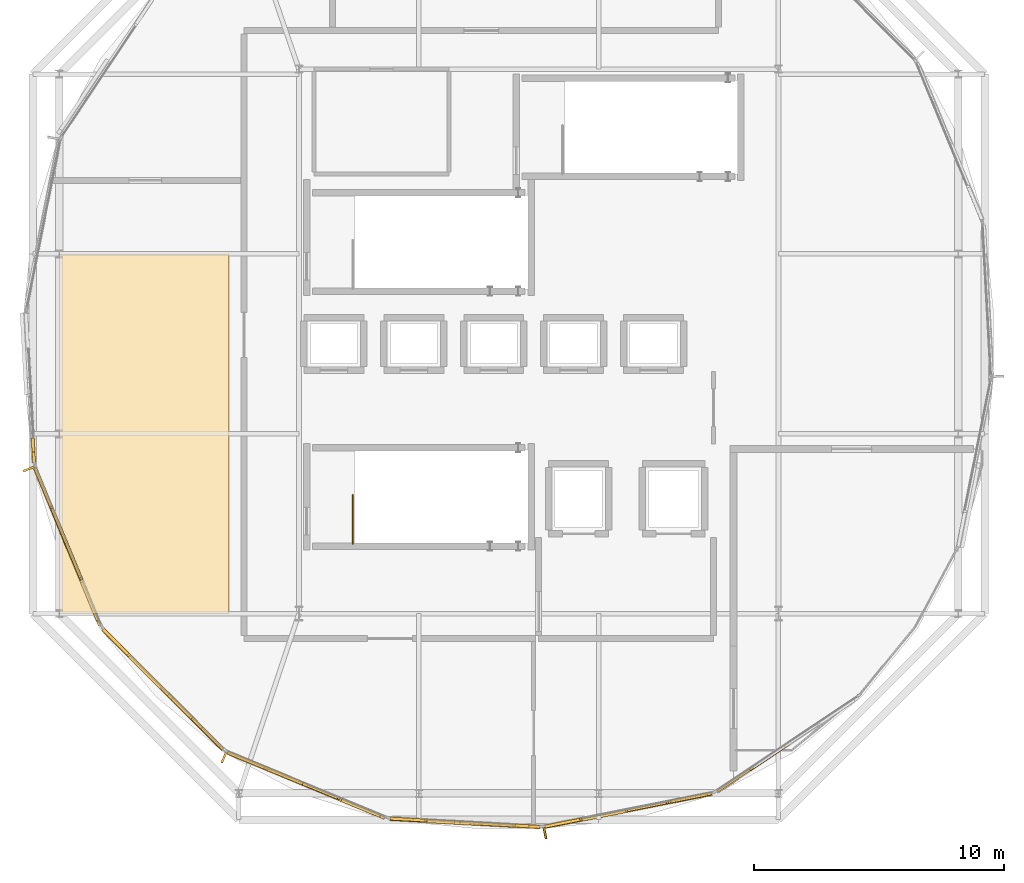
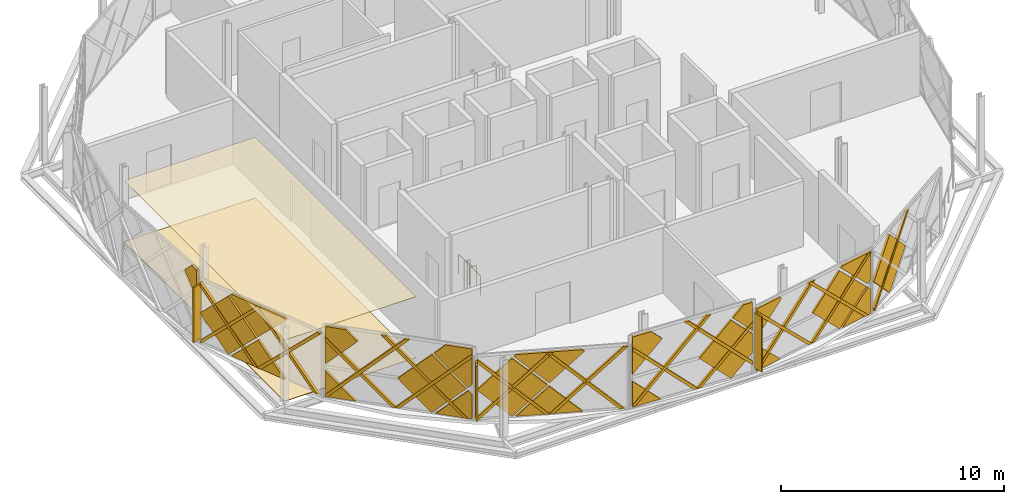
# One storey, part 12 of 15: 45 coverings, 3 shading devices, 1 railing.
"""IFC4 building model written with IfcOpenShell, lengths in metres."""

from ifc_helpers import new_model, si_unit, direction, frame, origin, origin_2d, place, context, subcontext, project, spatial, polyline, rectangle, circle, outline, extrude, material, layer, layer_set, type_object, element, save


model = new_model("IFC4")

# Units and contexts
model_context = context("Model", 3, precision=1e-05, world=origin(), true_north=direction((0.0, 1.0)))
body_context = subcontext(model_context, "Body", "Model", "MODEL_VIEW")
ifc_project = project(units=[si_unit("LENGTHUNIT", "METRE"), si_unit("AREAUNIT", "SQUARE_METRE"), si_unit("VOLUMEUNIT", "CUBIC_METRE"), si_unit("PLANEANGLEUNIT", "RADIAN"), si_unit("MASSUNIT", "GRAM", prefix="KILO")], contexts=[model_context])

# Site, building, storey
site_placement = place(None, origin())
site = spatial("IfcSite", under=ifc_project, at=site_placement, CompositionType="ELEMENT")
building_placement = place(site_placement, origin())
building = spatial("IfcBuilding", under=site, at=building_placement, Name="Zevrakil Square Congress Hotel", CompositionType="ELEMENT")
storey_placement = place(building_placement, frame((0.0, 0.0, 41.89990234375)))
storey = spatial("IfcBuildingStorey", under=building, at=storey_placement, Name="L12", CompositionType="ELEMENT", Elevation=41.89990234375)

# Coverings
ifc_material_1 = material(Name="Acoustic Perforated Timber Ceiling", Category="wood")
ifc_layer_1 = layer(ifc_material_1, 0.02490234375)
ifc_layer_set_1 = layer_set([ifc_layer_1], Name="Acoustic Perforated Timber Ceiling")
covering_type_1 = type_object("IfcCoveringType", Name="COV-CEIL-ACOUSTIC-025", PredefinedType="CEILING", material=ifc_layer_set_1)
covering_1_placement = place(storey_placement, frame((0.0, 0.0, 3.34521484375)))
element("IfcCovering", 1, at=covering_1_placement, inside=storey, type_object=covering_type_1, Name="L12 acoustic perforated timber ceiling 8", PredefinedType="CEILING", context=body_context, shape_type="SweptSolid", body=[
    extrude(outline(polyline([(127.199951171875, 16.800048828125), (134.0, 16.800048828125), (134.0, 31.199951171875), (127.199951171875, 31.199951171875), (127.199951171875, 16.800048828125)])), origin(), (0.0, 0.0, 1.0), 0.02490234375),
])
ifc_material_2 = material(Name="Architectural White Fibre-C GRC", Category="concrete")
ifc_layer_2 = layer(ifc_material_2, 0.06494140625)
ifc_layer_set_2 = layer_set([ifc_layer_2], Name="Architectural White Fibre-C GRC")
covering_type_2 = type_object("IfcCoveringType", Name="COV-DIA-WHITE", PredefinedType="CLADDING", material=ifc_layer_set_2)
covering_2_placement = place(storey_placement, frame((148.055419921875, 8.490478515625, 0.080078125), z_axis=(0.19515029524, -0.98077308983, 0.000713115611), x_axis=(-0.980773339208, -0.19515034486, 0.0)))
element("IfcCovering", 2, at=covering_2_placement, inside=storey, type_object=covering_type_2, Name="L12 45-degree white GRC diamond facade cassette 3363", PredefinedType="CLADDING", context=body_context, shape_type="SweptSolid", body=[
    extrude(outline(polyline([(0.0, 0.0), (1.409920564436228, -2.710505431213761e-20), (1.4099694345435934, -1.4099124678691708), (0.0, 0.0)])), origin(), (0.0, 0.0, -1.0), 0.1201171875),
])
covering_3_placement = place(storey_placement, frame((153.165283203125, 9.5078125, 1.590087890625), z_axis=(0.194968636119, -0.98080933842, 0.000522109697), x_axis=(0.693309787792, 0.137441918593, -0.707411660326)))
element("IfcCovering", 3, at=covering_3_placement, inside=storey, type_object=covering_type_2, Name="L12 45-degree white GRC diamond facade cassette 3364", PredefinedType="CLADDING", context=body_context, shape_type="SweptSolid", body=[
    extrude(outline(polyline([(0.0, 0.0), (0.26263509209817926, 0.0), (1.1993357663590354, -0.9360274237238333), (0.0008347716980796616, -2.1355630730833544), (0.0, 0.0)])), origin(), (0.0, 0.0, -1.0), 0.1201171875),
])
covering_4_placement = place(storey_placement, frame((151.517333984375, 9.180908203125, 3.27001953125), z_axis=(0.19508250247, -0.980786685972, 0.000542079793), x_axis=(0.693618948692, 0.1375728553, -0.707083066902)))
element("IfcCovering", 4, at=covering_4_placement, inside=storey, type_object=covering_type_2, Name="L12 45-degree white GRC diamond facade cassette 3365", PredefinedType="CLADDING", context=body_context, shape_type="SweptSolid", body=[
    extrude(outline(polyline([(0.0, 0.0), (2.248453999896873, 2.220446049250313e-16), (2.2484100476963667, -2.248693059690065), (-0.00021657990238699298, -2.248520420459865), (0.0, 0.0)])), origin(), (0.0, 0.0, -1.0), 0.1201171875),
])
covering_5_placement = place(storey_placement, frame((148.133544921875, 8.508056640625, 3.360107421875), z_axis=(0.195178431241, -0.980767569844, 0.000594911524), x_axis=(-0.693432916991, -0.138426080178, -0.707099010012)))
element("IfcCovering", 5, at=covering_5_placement, inside=storey, type_object=covering_type_2, Name="L12 45-degree white GRC diamond facade cassette 3366", PredefinedType="CLADDING", context=body_context, shape_type="SweptSolid", body=[
    extrude(outline(polyline([(0.0, 0.0), (2.107187605494847, 2.220446049250313e-16), (0.9828721456290084, -1.124408847511076), (-1.8670668978065796e-05, -0.14153923711214822), (0.0, 0.0)])), origin(), (0.0, 0.0, -1.0), 0.1201171875),
])
covering_6_placement = place(storey_placement, frame((153.165283203125, 9.5078125, 1.77001953125), z_axis=(0.195200347665, -0.980763077625, 0.00078092207), x_axis=(-0.693582091158, -0.137479937089, 0.70713729199)))
element("IfcCovering", 6, at=covering_6_placement, inside=storey, type_object=covering_type_2, Name="L12 45-degree white GRC diamond facade cassette 3367", PredefinedType="CLADDING", context=body_context, shape_type="SweptSolid", body=[
    extrude(outline(polyline([(0.0, 0.0), (2.248626626303639, 2.220446049250313e-16), (2.2487887347649447, -0.14140376365944074), (1.0639058555080478, -1.3263893964008693), (5.730678090423713e-05, -0.2627023392197081), (0.0, 0.0)])), origin(), (0.0, 0.0, -1.0), 0.1201171875),
])
covering_7_placement = place(storey_placement, frame((154.875732421875, 10.51171875, 3.27001953125), z_axis=(0.555588366, -0.831457268101, 0.000615539116), x_axis=(0.588191581334, 0.392512249911, -0.707081888693)))
element("IfcCovering", 7, at=covering_7_placement, inside=storey, type_object=covering_type_2, Name="L12 45-degree white GRC diamond facade cassette 3373", PredefinedType="CLADDING", context=body_context, shape_type="SweptSolid", body=[
    extrude(outline(polyline([(0.0, 0.0), (2.248457724287877, 0.0), (2.2483756789064278, -2.248727622415452), (0.013909549115872277, -2.2485471512130166), (-0.00024589885112402676, -2.2343907119547888), (0.0, 0.0)])), origin(), (0.0, 0.0, -1.0), 0.1201171875),
])
covering_8_placement = place(storey_placement, frame((126.08056640625, 23.82861328125, 3.360107421875), z_axis=(-0.998463254651, -0.055414655728, 0.000587403703), x_axis=(0.039594974276, -0.70592748919, 0.707176511218)))
element("IfcCovering", 8, at=covering_8_placement, inside=storey, type_object=covering_type_2, Name="L12 45-degree white GRC diamond facade cassette 3462", PredefinedType="CLADDING", context=body_context, shape_type="SweptSolid", body=[
    extrude(outline(polyline([(0.0, 0.0), (0.7847144152106713, 1.1102230246251565e-16), (1.095386093799942, -0.3107330135299237), (-0.0002927441116116203, -1.4061188634837807), (0.0, 0.0)])), origin(), (0.0, 0.0, -1.0), 0.1201171875),
])
covering_9_placement = place(storey_placement, frame((127.432861328125, 19.60107421875, 1.590087890625), z_axis=(-0.923868879742, -0.382708722147, 0.000571871315), x_axis=(0.270254610078, -0.653458270391, -0.707074772983)))
element("IfcCovering", 9, at=covering_9_placement, inside=storey, type_object=covering_type_2, Name="L12 45-degree white GRC diamond facade cassette 3467", PredefinedType="CLADDING", context=body_context, shape_type="SweptSolid", body=[
    extrude(outline(polyline([(0.0, 0.0), (2.135572959638723, 0.0), (4.892688953539448e-05, -2.1353314090216724), (0.0, 0.0)])), origin(), (0.0, 0.0, -1.0), 0.1201171875),
])
covering_10_placement = place(storey_placement, frame((126.791015625, 21.153564453125, 3.27001953125), z_axis=(-0.923876648285, -0.382689905878, 0.000612121076), x_axis=(0.270222464438, -0.653492617273, -0.707055315293)))
element("IfcCovering", 10, at=covering_10_placement, inside=storey, type_object=covering_type_2, Name="L12 45-degree white GRC diamond facade cassette 3468", PredefinedType="CLADDING", context=body_context, shape_type="SweptSolid", body=[
    extrude(outline(polyline([(0.0, 0.0), (2.248542423845154, 2.220446049250313e-16), (2.2485639391856482, -2.248539375840798), (0.013912639991418674, -2.248460281941327), (-0.00024227598856074728, -2.234303310693927), (0.0, 0.0)])), origin(), (0.0, 0.0, -1.0), 0.1201171875),
])
covering_11_placement = place(storey_placement, frame((128.04248046875, 18.13232421875, 3.360107421875), z_axis=(-0.923870423116, -0.382705034718, 0.000545612839), x_axis=(-0.270974701086, 0.653139336004, -0.707093854545)))
element("IfcCovering", 11, at=covering_11_placement, inside=storey, type_object=covering_type_2, Name="L12 45-degree white GRC diamond facade cassette 3469", PredefinedType="CLADDING", context=body_context, shape_type="SweptSolid", body=[
    extrude(outline(polyline([(0.0, 0.0), (2.2487649838778547, 0.0), (2.248703040620689, -2.24862149094754), (2.1072630558932595, -2.248743583138471), (4.2567395571319055e-05, -0.14159944066137287), (0.0, 0.0)])), origin(), (0.0, 0.0, -1.0), 0.1201171875),
])
covering_12_placement = place(storey_placement, frame((129.91552734375, 15.1337890625, 0.080078125), z_axis=(-0.707193272036, -0.707020110118, 0.000489770868), x_axis=(-0.707020194917, 0.707193356855, 0.0)))
element("IfcCovering", 12, at=covering_12_placement, inside=storey, type_object=covering_type_2, Name="L12 45-degree white GRC diamond facade cassette 3474", PredefinedType="CLADDING", context=body_context, shape_type="SweptSolid", body=[
    extrude(outline(polyline([(0.0, 0.0), (1.4098977356545457, -5.421010862427522e-20), (1.4098978202062735, -1.4099122784767188), (0.0, 0.0)])), origin(), (0.0, 0.0, -1.0), 0.1201171875),
])
covering_13_placement = place(storey_placement, frame((133.600341796875, 11.450439453125, 1.590087890625), z_axis=(-0.707189567825, -0.707023665924, 0.000671552204), x_axis=(0.499651473905, -0.50044028558, -0.707041671468)))
element("IfcCovering", 13, at=covering_13_placement, inside=storey, type_object=covering_type_2, Name="L12 45-degree white GRC diamond facade cassette 3475", PredefinedType="CLADDING", context=body_context, shape_type="SweptSolid", body=[
    extrude(outline(polyline([(0.0, 0.0), (0.26242709605595504, 0.0), (1.1987559519797935, -0.9367448939695171), (-0.00020668946563739965, -2.1354873326794417), (0.0, 0.0)])), origin(), (0.0, 0.0, -1.0), 0.1201171875),
])
covering_14_placement = place(storey_placement, frame((132.4130859375, 12.63916015625, 3.27001953125), z_axis=(-0.707106631138, -0.707106631138, 0.000651461004), x_axis=(0.499691635266, -0.500343073658, -0.707082087375)))
element("IfcCovering", 14, at=covering_14_placement, inside=storey, type_object=covering_type_2, Name="L12 45-degree white GRC diamond facade cassette 3476", PredefinedType="CLADDING", context=body_context, shape_type="SweptSolid", body=[
    extrude(outline(polyline([(0.0, 0.0), (2.248457114721953, -2.220446049250313e-16), (2.2484736564198586, -2.248629748751079), (-0.00015608576483217007, -2.2484571093042893), (0.0, 0.0)])), origin(), (0.0, 0.0, -1.0), 0.1201171875),
])
covering_15_placement = place(storey_placement, frame((129.9736328125, 15.07861328125, 3.360107421875), z_axis=(-0.707113683852, -0.707099627706, 0.000595489215), x_axis=(-0.5003232422, 0.499737729096, -0.707063544126)))
element("IfcCovering", 15, at=covering_15_placement, inside=storey, type_object=covering_type_2, Name="L12 45-degree white GRC diamond facade cassette 3477", PredefinedType="CLADDING", context=body_context, shape_type="SweptSolid", body=[
    extrude(outline(polyline([(0.0, 0.0), (2.1072933882948472, 0.0), (0.661403108106003, -1.4460666143639513), (0.00010797919998423167, -0.7848519777332364), (0.0, 0.0)])), origin(), (0.0, 0.0, -1.0), 0.1201171875),
])
covering_16_placement = place(storey_placement, frame((133.600341796875, 11.450439453125, 1.77001953125), z_axis=(-0.707093538317, -0.707119734947, 0.000639155089), x_axis=(-0.499668636983, 0.500289295926, 0.707136389671)))
element("IfcCovering", 16, at=covering_16_placement, inside=storey, type_object=covering_type_2, Name="L12 45-degree white GRC diamond facade cassette 3478", PredefinedType="CLADDING", context=body_context, shape_type="SweptSolid", body=[
    extrude(outline(polyline([(0.0, 0.0), (2.2486297482793494, -2.220446049250313e-16), (2.2487247766475003, -0.7847299829551284), (1.3857239727327968, -1.647803395967101), (0.00015959812753305047, -0.2625997183588714), (0.0, 0.0)])), origin(), (0.0, 0.0, -1.0), 0.1201171875),
])
covering_17_placement = place(storey_placement, frame((136.93701171875, 9.9423828125, 1.590087890625), z_axis=(-0.382680111763, -0.923880650051, 0.000690306026), x_axis=(0.65312018165, -0.271056879169, -0.707080049624)))
element("IfcCovering", 17, at=covering_17_placement, inside=storey, type_object=covering_type_2, Name="L12 45-degree white GRC diamond facade cassette 3483", PredefinedType="CLADDING", context=body_context, shape_type="SweptSolid", body=[
    extrude(outline(polyline([(0.0, 0.0), (2.135557022754429, 2.220446049250313e-16), (-0.00011041427235092272, -2.1355069895912147), (0.0, 0.0)])), origin(), (0.0, 0.0, -1.0), 0.1201171875),
])
covering_18_placement = place(storey_placement, frame((135.38525390625, 10.586181640625, 3.27001953125), z_axis=(-0.382689414577, -0.923876870734, 0.000582831818), x_axis=(0.653137646978, -0.27098955075, -0.707089723786)))
element("IfcCovering", 18, at=covering_18_placement, inside=storey, type_object=covering_type_2, Name="L12 45-degree white GRC diamond facade cassette 3484", PredefinedType="CLADDING", context=body_context, shape_type="SweptSolid", body=[
    extrude(outline(polyline([(0.0, 0.0), (2.2484328971049394, -2.220446049250313e-16), (2.24848173003618, -2.248621490108347), (0.0139124839814464, -2.2485689746375597), (-0.0002431208404432006, -2.2344126916701446), (0.0, 0.0)])), origin(), (0.0, 0.0, -1.0), 0.1201171875),
])
covering_19_placement = place(storey_placement, frame((138.40625, 9.334716796875, 3.360107421875), z_axis=(-0.382730758244, -0.923859781123, 0.00052107364), x_axis=(-0.653378779012, 0.270278768622, -0.707138995084)))
element("IfcCovering", 19, at=covering_19_placement, inside=storey, type_object=covering_type_2, Name="L12 45-degree white GRC diamond facade cassette 3485", PredefinedType="CLADDING", context=body_context, shape_type="SweptSolid", body=[
    extrude(outline(polyline([(0.0, 0.0), (2.248621489789799, 2.220446049250313e-16), (2.2484000267171314, -2.248605521038391), (2.1069601016378368, -2.248718514864011), (-0.00012598702254115746, -0.1414399814020867), (0.0, 0.0)])), origin(), (0.0, 0.0, -1.0), 0.1201171875),
])
covering_20_placement = place(storey_placement, frame((141.843505859375, 8.45556640625, 0.080078125), z_axis=(-0.055412468352, -0.998463414112, 0.000518682293), x_axis=(-0.998463548421, 0.055412475806, 0.0)))
element("IfcCovering", 20, at=covering_20_placement, inside=storey, type_object=covering_type_2, Name="L12 45-degree white GRC diamond facade cassette 3490", PredefinedType="CLADDING", context=body_context, shape_type="SweptSolid", body=[
    extrude(outline(polyline([(0.0, 0.0), (1.4098810577275969, -6.776263578034403e-21), (1.4099216430370247, -1.4099122990302972), (0.0, 0.0)])), origin(), (0.0, 0.0, -1.0), 0.1201171875),
])
covering_21_placement = place(storey_placement, frame((145.3681640625, 8.259765625, 0.090087890625), z_axis=(-0.055411492208, -0.998463421497, 0.000602050219), x_axis=(-0.705955283709, 0.039604630068, 0.707148223982)))
element("IfcCovering", 21, at=covering_21_placement, inside=storey, type_object=covering_type_2, Name="L12 45-degree white GRC diamond facade cassette 3491", PredefinedType="CLADDING", context=body_context, shape_type="SweptSolid", body=[
    extrude(outline(polyline([(0.0, 0.0), (2.2485921209579542, 2.220446049250313e-16), (2.2485880124807025, -2.2485153014956247), (0.7152597547767174, -2.2486027078390793), (0.00015058656550515082, -1.5336158812623806), (0.0, 0.0)])), origin(), (0.0, 0.0, -1.0), 0.1201171875),
])
covering_22_placement = place(storey_placement, frame((141.923583984375, 8.452880859375, 3.360107421875), z_axis=(-0.055465399683, -0.998460400299, 0.000646894165), x_axis=(-0.706055140666, 0.038763895755, -0.707095112926)))
element("IfcCovering", 22, at=covering_22_placement, inside=storey, type_object=covering_type_2, Name="L12 45-degree white GRC diamond facade cassette 3492", PredefinedType="CLADDING", context=body_context, shape_type="SweptSolid", body=[
    extrude(outline(polyline([(0.0, 0.0), (2.107199073849851, -2.220446049250313e-16), (0.661292128929723, -1.4460498126898407), (0.00011712799992330547, -0.7848964503613466), (0.0, 0.0)])), origin(), (0.0, 0.0, -1.0), 0.1201171875),
])
covering_23_placement = place(storey_placement, frame((145.458251953125, 8.2568359375, 3.360107421875), z_axis=(-0.055521866304, -0.998457354415, 0.000483503586), x_axis=(0.705948036314, -0.038913651716, 0.707193819072)))
element("IfcCovering", 23, at=covering_23_placement, inside=storey, type_object=covering_type_2, Name="L12 45-degree white GRC diamond facade cassette 3493", PredefinedType="CLADDING", context=body_context, shape_type="SweptSolid", body=[
    extrude(outline(polyline([(0.0, 0.0), (0.7846952762727188, 0.0), (1.0953593354593818, -0.3107406375271636), (-0.0002791496180734043, -1.4061666609615497), (0.0, 0.0)])), origin(), (0.0, 0.0, -1.0), 0.1201171875),
])
ifc_material_3 = material(Name="Anodised Champagne Aluminium", Category="aluminium")
ifc_layer_3 = layer(ifc_material_3, 0.0849609375)
ifc_layer_set_3 = layer_set([ifc_layer_3], Name="Anodised Champagne Aluminium")
covering_type_3 = type_object("IfcCoveringType", Name="COV-DIAGRID-45", PredefinedType="MOLDING", material=ifc_layer_set_3)
covering_24_placement = place(storey_placement, frame((146.761962890625, 8.207763671875, 0.080078125), z_axis=(0.194984496006, -0.980806095919, 0.0006697198), x_axis=(-0.980806315825, -0.194984539997, -4.00498e-07)))
element("IfcCovering", 24, at=covering_24_placement, inside=storey, type_object=covering_type_3, Name="L12 45-degree aluminium diagrid rib 3368", PredefinedType="MOLDING", context=body_context, shape_type="SweptSolid", body=[
    extrude(outline(polyline([(0.0, 0.0), (0.0861359664392592, 0.0), (0.08613591588813295, -0.12622067481844085), (-3.1676881968998303, -3.3801264444175434), (-3.3799880442284747, -3.3801262669219865), (0.0, 0.0)])), origin(), (0.0, 0.0, -1.0), 0.14501953125),
])
covering_25_placement = place(storey_placement, frame((150.057373046875, 8.863037109375, 0.080078125), z_axis=(0.194657340491, -0.98087074335, 0.001051015382), x_axis=(-0.980871285122, -0.194657447903, 9.7888e-08)))
element("IfcCovering", 25, at=covering_25_placement, inside=storey, type_object=covering_type_3, Name="L12 45-degree aluminium diagrid rib 3369", PredefinedType="MOLDING", context=body_context, shape_type="SweptSolid", body=[
    extrude(outline(polyline([(0.0, 0.0), (0.21206041103982318, 0.0), (-3.1677331040768713, -3.380129140471789), (-3.3596360216447003, -3.380129157310329), (-3.359636023652171, -3.359621356137139), (0.0, 0.0)])), origin(), (0.0, 0.0, -1.0), 0.14501953125),
])
covering_26_placement = place(storey_placement, frame((146.677001953125, 8.192626953125, 3.154052734375), z_axis=(0.195067789965, -0.98078956775, 0.000617341159), x_axis=(9.9738198e-05, 0.000649269483, 0.999999784251)))
element("IfcCovering", 26, at=covering_26_placement, inside=storey, type_object=covering_type_3, Name="L12 45-degree aluminium diagrid rib 3370", PredefinedType="MOLDING", context=body_context, shape_type="SweptSolid", body=[
    extrude(outline(polyline([(0.0, 0.0), (0.2121583158650719, -1.3552527156068805e-20), (-3.0732374640055022, -3.2868361115554294), (-3.073284999036575, -3.0747757326683876), (0.0, 0.0)])), origin(), (0.0, 0.0, -1.0), 0.14501953125),
])
covering_27_placement = place(storey_placement, frame((149.67236328125, 8.78857421875, 3.460205078125), z_axis=(0.1951198058, -0.980779200833, 0.000648534815), x_axis=(0.980779407044, 0.195119847066, 3.66064e-07)))
element("IfcCovering", 27, at=covering_27_placement, inside=storey, type_object=covering_type_3, Name="L12 45-degree aluminium diagrid rib 3371", PredefinedType="MOLDING", context=body_context, shape_type="SweptSolid", body=[
    extrude(outline(polyline([(0.0, 0.0), (0.2121080148443291, 0.0), (3.5920498868638457, -3.380128978883701), (3.3799895087009295, -3.380128823610711), (0.0, 0.0)])), origin(), (0.0, 0.0, -1.0), 0.14501953125),
])
covering_28_placement = place(storey_placement, frame((153.6484375, 9.6591796875, 0.080078125), z_axis=(0.555364297579, -0.831606756616, 0.000836256543), x_axis=(-0.831607048013, -0.555364490846, 1.326821e-06)))
element("IfcCovering", 28, at=covering_28_placement, inside=storey, type_object=covering_type_3, Name="L12 45-degree aluminium diagrid rib 3375", PredefinedType="MOLDING", context=body_context, shape_type="SweptSolid", body=[
    extrude(outline(polyline([(0.0, 0.0), (0.08592698749582606, 0.0), (0.08592715496806932, -0.1262206589902342), (-3.1678569828829937, -3.3801323888036374), (-3.380135533857682, -3.380132698567894), (0.0, 0.0)])), origin(), (0.0, 0.0, -1.0), 0.14501953125),
])
covering_29_placement = place(storey_placement, frame((126.1943359375, 22.5234375, 0.080078125), z_axis=(-0.923772706471, -0.382941087362, 0.000332249911), x_axis=(-0.382941108572, 0.923772757428, -2.39293e-07)))
element("IfcCovering", 29, at=covering_29_placement, inside=storey, type_object=covering_type_3, Name="L12 45-degree aluminium diagrid rib 3470", PredefinedType="MOLDING", context=body_context, shape_type="SweptSolid", body=[
    extrude(outline(polyline([(0.0, 0.0), (0.08591874897979124, 3.3881317890172014e-21), (0.08582522729448883, -0.1262207710683471), (-3.167916490163518, -3.380126363196694), (-3.379924581133122, -3.380126352824526), (0.0, 0.0)])), origin(), (0.0, 0.0, -1.0), 0.14501953125),
])
covering_30_placement = place(storey_placement, frame((127.480224609375, 19.419189453125, 0.080078125), z_axis=(-0.923648274134, -0.383241262886, 1.0556985e-05), x_axis=(-0.383241262907, 0.923648274185, -2.618e-09)))
element("IfcCovering", 30, at=covering_30_placement, inside=storey, type_object=covering_type_3, Name="L12 45-degree aluminium diagrid rib 3471", PredefinedType="MOLDING", context=body_context, shape_type="SweptSolid", body=[
    extrude(outline(polyline([(0.0, 0.0), (0.21200811924917634, 1.0587911840678754e-22), (-3.1679158698239744, -3.3801269450446645), (-3.3597919116192676, -3.380126943988048), (-3.3597919115655697, -3.3596191314891906), (0.0, 0.0)])), origin(), (0.0, 0.0, -1.0), 0.14501953125),
])
covering_31_placement = place(storey_placement, frame((126.1630859375, 22.603515625, 3.154052734375), z_axis=(-0.92383022594, -0.382801764154, 0.000723188016), x_axis=(0.000429775552, 0.000852002452, 0.999999544692)))
element("IfcCovering", 31, at=covering_31_placement, inside=storey, type_object=covering_type_3, Name="L12 45-degree aluminium diagrid rib 3472", PredefinedType="MOLDING", context=body_context, shape_type="SweptSolid", body=[
    extrude(outline(polyline([(0.0, 0.0), (0.2121584194618184, -2.710505431213761e-20), (-3.076020680731517, -3.2841539409073124), (-3.0758884853004855, -3.07201382478336), (0.0, 0.0)])), origin(), (0.0, 0.0, -1.0), 0.14501953125),
])
covering_32_placement = place(storey_placement, frame((127.33203125, 19.7822265625, 3.460205078125), z_axis=(-0.923925588404, -0.382571927951, 0.000476483983), x_axis=(0.382571971268, -0.923925693333, -2.53322e-07)))
element("IfcCovering", 32, at=covering_32_placement, inside=storey, type_object=covering_type_3, Name="L12 45-degree aluminium diagrid rib 3473", PredefinedType="MOLDING", context=body_context, shape_type="SweptSolid", body=[
    extrude(outline(polyline([(0.0, 0.0), (0.21214019194507372, -6.776263578034403e-21), (3.5922420297660596, -3.3801264268391162), (3.3800084364608134, -3.380126534342219), (0.0, 0.0)])), origin(), (0.0, 0.0, -1.0), 0.14501953125),
])
covering_33_placement = place(storey_placement, frame((128.961669921875, 16.05224609375, 0.080078125), z_axis=(-0.70727271586, -0.706940314153, 0.000835239273), x_axis=(-0.706940559869, 0.707272963437, 1.477507e-06)))
element("IfcCovering", 33, at=covering_33_placement, inside=storey, type_object=covering_type_3, Name="L12 45-degree aluminium diagrid rib 3479", PredefinedType="MOLDING", context=body_context, shape_type="SweptSolid", body=[
    extrude(outline(polyline([(0.0, 0.0), (0.08614415045576207, 0.0), (0.08614433694777866, -0.1262206590975181), (-3.6228801182975086, -3.834967682556434), (-3.834874040004125, -3.834968037397266), (0.0, 0.0)])), origin(), (0.0, 0.0, -1.0), 0.14501953125),
])
covering_34_placement = place(storey_placement, frame((131.337646484375, 13.676513671875, 0.080078125), z_axis=(-0.706895471105, -0.707317964941, 0.000299003117), x_axis=(-0.707317996591, 0.706895502672, -1.53963e-07)))
element("IfcCovering", 34, at=covering_34_placement, inside=storey, type_object=covering_type_3, Name="L12 45-degree aluminium diagrid rib 3480", PredefinedType="MOLDING", context=body_context, shape_type="SweptSolid", body=[
    extrude(outline(polyline([(0.0, 0.0), (0.21216660316023464, 0.0), (-3.3594487634950796, -3.5717769861826154), (-3.3596213127403876, -3.359618740881452), (0.0, 0.0)])), origin(), (0.0, 0.0, -1.0), 0.14501953125),
])
covering_35_placement = place(storey_placement, frame((128.902099609375, 16.114501953125, 3.154052734375), z_axis=(-0.707020518515, -0.707192695012, 0.000691751407), x_axis=(0.00106459611, -8.6172102e-05, 0.999999429605)))
element("IfcCovering", 35, at=covering_35_placement, inside=storey, type_object=covering_type_3, Name="L12 45-degree aluminium diagrid rib 3481", PredefinedType="MOLDING", context=body_context, shape_type="SweptSolid", body=[
    extrude(outline(polyline([(0.0, 0.0), (0.21215834202209294, 0.0), (-3.0712999752009353, -3.2887514233276054), (-3.0714727590024, -3.0764123006540105), (0.0, 0.0)])), origin(), (0.0, 0.0, -1.0), 0.14501953125),
])
covering_36_placement = place(storey_placement, frame((130.740234375, 14.277099609375, 3.9150390625), z_axis=(-0.707106660107, -0.707106660107, 0.000585204137), x_axis=(0.707106781187, -0.707106781187, 0.0)))
element("IfcCovering", 36, at=covering_36_placement, inside=storey, type_object=covering_type_3, Name="L12 45-degree aluminium diagrid rib 3482", PredefinedType="MOLDING", context=body_context, shape_type="SweptSolid", body=[
    extrude(outline(polyline([(0.0, 0.0), (0.21199392756276378, 0.0), (4.04704694124908, -3.8349615941679738), (3.8350530136863172, -3.8349615941679738), (0.0, 0.0)])), origin(), (0.0, 0.0, -1.0), 0.14501953125),
])
covering_37_placement = place(storey_placement, frame((133.99462890625, 11.133056640625, 0.080078125), z_axis=(-0.382907449229, -0.923786358888, 0.000805268076), x_axis=(-0.923786658218, 0.382907573832, 6.09203e-07)))
element("IfcCovering", 37, at=covering_37_placement, inside=storey, type_object=covering_type_3, Name="L12 45-degree aluminium diagrid rib 3486", PredefinedType="MOLDING", context=body_context, shape_type="SweptSolid", body=[
    extrude(outline(polyline([(0.0, 0.0), (0.08591874667680531, -3.3881317890172014e-21), (0.0859188235707856, -0.12622066220064126), (-3.167864534995615, -3.3801300106856225), (-3.3800981552678735, -3.380130111240967), (0.0, 0.0)])), origin(), (0.0, 0.0, -1.0), 0.14501953125),
])
covering_38_placement = place(storey_placement, frame((137.098876953125, 9.84716796875, 0.080078125), z_axis=(-0.382494631147, -0.923957629248, 0.000395597806), x_axis=(-0.923957701574, 0.382494661012, -1.77217e-07)))
element("IfcCovering", 38, at=covering_38_placement, inside=storey, type_object=covering_type_3, Name="L12 45-degree aluminium diagrid rib 3487", PredefinedType="MOLDING", context=body_context, shape_type="SweptSolid", body=[
    extrude(outline(polyline([(0.0, 0.0), (0.21214020063955916, -3.3881317890172014e-21), (-3.1678681109475146, -3.3801266595126145), (-3.3597441325068624, -3.380126584930701), (-3.359744128872523, -3.3596187740354133), (0.0, 0.0)])), origin(), (0.0, 0.0, -1.0), 0.14501953125),
])
covering_39_placement = place(storey_placement, frame((133.916015625, 11.16748046875, 3.154052734375), z_axis=(-0.382162633505, -0.924094364081, 0.001152313226), x_axis=(3.3979394e-05, 0.001232911637, 0.999999239387)))
element("IfcCovering", 39, at=covering_39_placement, inside=storey, type_object=covering_type_3, Name="L12 45-degree aluminium diagrid rib 3488", PredefinedType="MOLDING", context=body_context, shape_type="SweptSolid", body=[
    extrude(outline(polyline([(0.0, 0.0), (0.21215834275850035, -1.3552527156068805e-20), (-3.0754214151865518, -3.284576241553755), (-3.075328143406767, -3.0724360409711395), (0.0, 0.0)])), origin(), (0.0, 0.0, -1.0), 0.14501953125),
])
covering_40_placement = place(storey_placement, frame((136.7373046875, 9.9990234375, 3.460205078125), z_axis=(-0.382080413129, -0.924128228141, 0.001255330836), x_axis=(0.924128956288, -0.382080714181, 0.0)))
element("IfcCovering", 40, at=covering_40_placement, inside=storey, type_object=covering_type_3, Name="L12 45-degree aluminium diagrid rib 3489", PredefinedType="MOLDING", context=body_context, shape_type="SweptSolid", body=[
    extrude(outline(polyline([(0.0, 0.0), (0.2121402219257289, 0.0), (3.592287038933097, -3.3801296164239836), (3.3801468170073683, -3.3801296164239836), (0.0, 0.0)])), origin(), (0.0, 0.0, -1.0), 0.14501953125),
])
covering_41_placement = place(storey_placement, frame((140.520263671875, 8.50390625, 0.080078125), z_axis=(-0.055413406596, -0.998463328126, 0.000580308199), x_axis=(-0.998463496221, 0.055413416369, 7.63305e-07)))
element("IfcCovering", 41, at=covering_41_placement, inside=storey, type_object=covering_type_3, Name="L12 45-degree aluminium diagrid rib 3494", PredefinedType="MOLDING", context=body_context, shape_type="SweptSolid", body=[
    extrude(outline(polyline([(0.0, 0.0), (0.08607603002860081, -4.235164736271502e-22), (0.08607612637348326, -0.12622068187207056), (-3.622869321538103, -3.834964376106592), (-3.835107153253309, -3.834964562561819), (0.0, 0.0)])), origin(), (0.0, 0.0, -1.0), 0.14501953125),
])
covering_42_placement = place(storey_placement, frame((143.875244140625, 8.317626953125, 0.080078125), z_axis=(-0.055578633666, -0.998454004733, 0.000784801162), x_axis=(-0.998454312226, 0.055578650558, -2.85692e-07)))
element("IfcCovering", 42, at=covering_42_placement, inside=storey, type_object=covering_type_3, Name="L12 45-degree aluminium diagrid rib 3495", PredefinedType="MOLDING", context=body_context, shape_type="SweptSolid", body=[
    extrude(outline(polyline([(0.0, 0.0), (0.21223782183561532, 1.6940658945086007e-21), (-2.578327257788778, -2.7905274665034567), (-2.578340766183344, -2.5783691374043927), (0.0, 0.0)])), origin(), (0.0, 0.0, -1.0), 0.14501953125),
])
covering_43_placement = place(storey_placement, frame((140.4345703125, 8.510498046875, 3.154052734375), z_axis=(-0.055069550338, -0.998482078706, 0.000939749648), x_axis=(-1.1523384e-05, 0.000941813417, 0.999999556427)))
element("IfcCovering", 43, at=covering_43_placement, inside=storey, type_object=covering_type_3, Name="L12 45-degree aluminium diagrid rib 3496", PredefinedType="MOLDING", context=body_context, shape_type="SweptSolid", body=[
    extrude(outline(polyline([(0.0, 0.0), (0.21215833895231895, 0.0), (-3.0741841923119977, -3.2857122935622525), (-3.07417071628227, -3.0737182304952384), (0.0, 0.0)])), origin(), (0.0, 0.0, -1.0), 0.14501953125),
])
covering_44_placement = place(storey_placement, frame((143.029541015625, 8.366943359375, 3.9150390625), z_axis=(-0.05566270334, -0.998449555934, 0.000384332694), x_axis=(0.998449629679, -0.055662707394, 1.47826e-07)))
element("IfcCovering", 44, at=covering_44_placement, inside=storey, type_object=covering_type_3, Name="L12 45-degree aluminium diagrid rib 3497", PredefinedType="MOLDING", context=body_context, shape_type="SweptSolid", body=[
    extrude(outline(polyline([(0.0, 0.0), (0.21199405246248812, 0.0), (3.425300623782495, -3.213135509282242), (3.4253005924199975, -3.425293696738123), (0.0, 0.0)])), origin(), (0.0, 0.0, -1.0), 0.14501953125),
])
ifc_material_4 = material(Name="Honed Addis Basalt Stone Flooring", Category="masonry")
ifc_layer_4 = layer(ifc_material_4, 0.030029296875)
ifc_layer_set_4 = layer_set([ifc_layer_4], Name="Honed Addis Basalt Stone Flooring")
covering_type_4 = type_object("IfcCoveringType", Name="COV-FLOR-BASALT-030", PredefinedType="FLOORING", material=ifc_layer_set_4)
covering_45_placement = place(storey_placement, origin())
element("IfcCovering", 45, at=covering_45_placement, inside=storey, type_object=covering_type_4, Name="L12 honed basalt stone flooring 8", PredefinedType="FLOORING", context=body_context, shape_type="SweptSolid", body=[
    extrude(outline(polyline([(127.199951171875, 16.800048828125), (134.0, 16.800048828125), (134.0, 31.199951171875), (127.199951171875, 31.199951171875), (127.199951171875, 16.800048828125)])), origin(), (0.0, 0.0, 1.0), 0.030029296875),
])

# Railing
ifc_material_5 = material(Name="Steel S355", Category="steel")
railing_type = type_object("IfcRailingType", Name="RLG-STAIR-GUARD-1100", PredefinedType="BALUSTRADE", material=ifc_material_5)
railing_placement = place(storey_placement, frame((138.949951171875, 19.60009765625, 0.0)))
element("IfcRailing", 46, at=railing_placement, inside=storey, type_object=railing_type, Name="L12 ST01 top well guard 1", PredefinedType="BALUSTRADE", context=body_context, shape_type="SweptSolid", body=[
    extrude(circle(Radius=0.02392578125, at=origin_2d()), frame((0.0, 0.0, 1.076171875), z_axis=(0.0, 1.0, 0.0), x_axis=(-1.0, 0.0, 0.0)), (0.0, 0.0, 1.0), 1.949951171875),
    extrude(circle(Radius=0.02099609375, at=origin_2d()), origin(), (0.0, 0.0, 1.0), 1.052001953125),
    extrude(circle(Radius=0.02099609375, at=origin_2d()), frame((0.0, 0.97509765625, 0.0)), (0.0, 0.0, 1.0), 1.052001953125),
    extrude(circle(Radius=0.02099609375, at=origin_2d()), frame((0.0, 1.949951171875, 0.0)), (0.0, 0.0, 1.0), 1.052001953125),
])

# Shading devices
ifc_material_6 = material(Name="Aluminium Anodised Bronze", Category="aluminium")
shading_device_type = type_object("IfcShadingDeviceType", Name="SHD-FIN-50", PredefinedType="JALOUSIE", material=ifc_material_6)
for number, where, z_axis, x_axis, name in (
    (47, (146.64794921875, 8.031982421875, 0.27001953125), (0.0, 0.0, 1.0), (0.195090322016, -0.980785280403, 0.0), "L12 aluminium solar shading fin 187"),
    (48, (126.0, 22.600830078125, 0.27001953125), (0.0, 0.0, 1.0), (-0.923879532511, -0.382683432365, 0.0), "L12 aluminium solar shading fin 193"),
    (49, (133.80224609375, 11.05029296875, 0.27001953125), (0.0, 0.0, 1.0), (-0.382683432365, -0.923879532511, 0.0), "L12 aluminium solar shading fin 194"),
):
    element("IfcShadingDevice", number, at=place(storey_placement, frame(where, z_axis=z_axis, x_axis=x_axis)), inside=storey, type_object=shading_device_type, Name=name, PredefinedType="JALOUSIE", context=body_context, shape_type="SweptSolid", body=[
        extrude(rectangle(XDim=0.5, YDim=0.080078125, at=origin_2d()), origin(), (0.0, 0.0, 1.0), 3.0),
    ])

save(model, "model.ifc")
